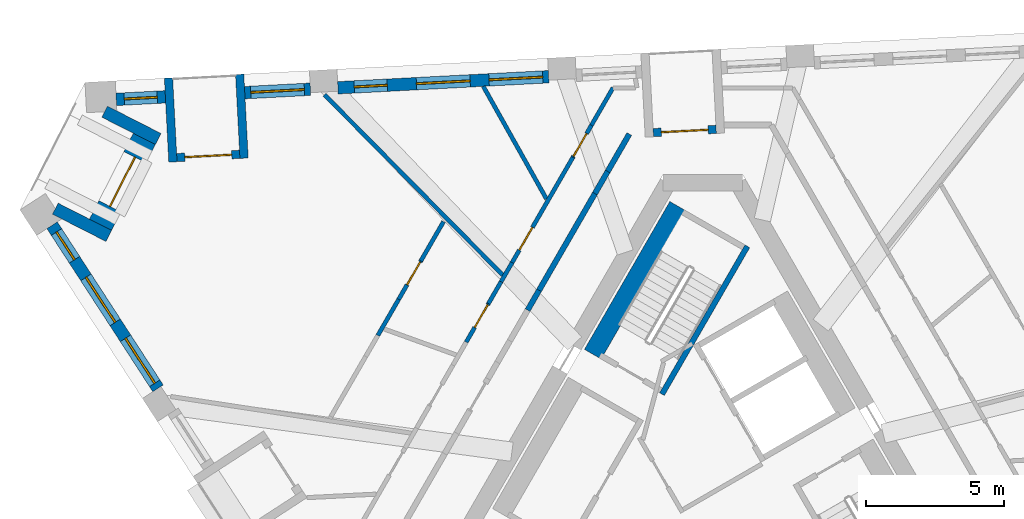
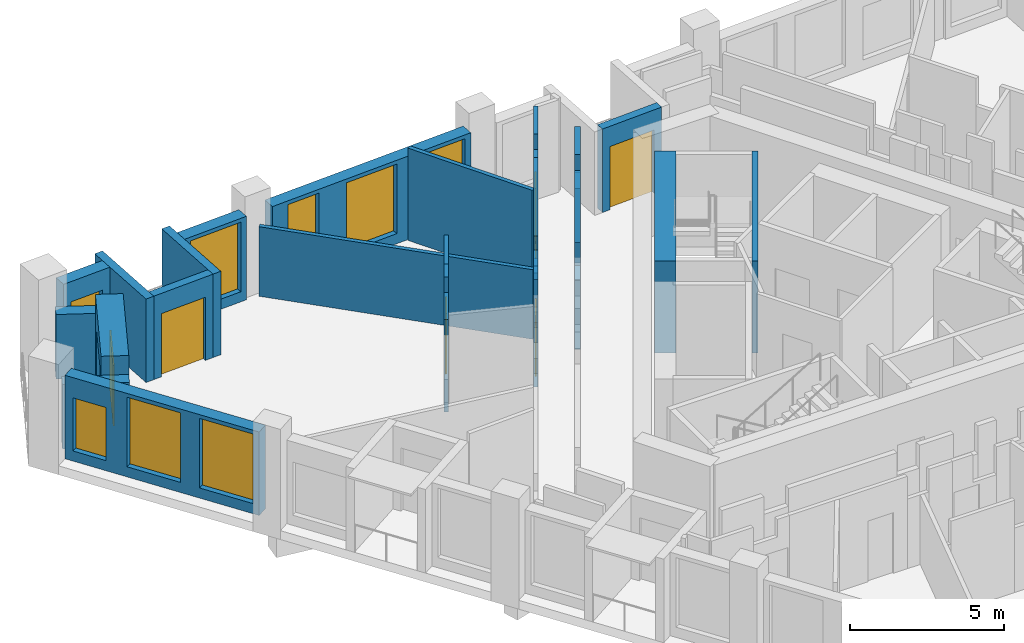
# One storey, part 6 of 12: 28 walls, 8 windows, 7 doors, 15 openings.
"""IFC4 building model written with IfcOpenShell, lengths in metres."""

from ifc_helpers import new_model, si_unit, direction, frame, frame_2d, origin, place, context, subcontext, project, spatial, polyline, rectangle, outline, extrude, material, layer, layer_set, type_object, element, fill, save


model = new_model("IFC4")

# Units and contexts
model_context = context("Model", 3, precision=1e-05, world=origin(), true_north=direction((0.0, 1.0)))
body_context = subcontext(model_context, "Body", "Model", "MODEL_VIEW")
ifc_project = project(units=[si_unit("LENGTHUNIT", "METRE"), si_unit("AREAUNIT", "SQUARE_METRE"), si_unit("VOLUMEUNIT", "CUBIC_METRE"), si_unit("PLANEANGLEUNIT", "RADIAN"), si_unit("MASSUNIT", "GRAM", prefix="KILO")], contexts=[model_context])

# Site, building, storey
site_placement = place(None, origin())
site = spatial("IfcSite", under=ifc_project, at=site_placement, CompositionType="ELEMENT")
building_placement = place(site_placement, origin())
building = spatial("IfcBuilding", under=site, at=building_placement, Name="Tramontana Tower", CompositionType="ELEMENT")
storey_placement = place(building_placement, frame((0.0, 0.0, 274.39990234375)))
storey = spatial("IfcBuildingStorey", under=building, at=storey_placement, Name="L64", CompositionType="ELEMENT", Elevation=274.39990234375)

# Walls
ifc_material_1 = material(Name="Blockwork", Category="masonry")
ifc_layer_1 = layer(ifc_material_1, 0.199951171875)
ifc_layer_set_1 = layer_set([ifc_layer_1], Name="ENTRY WALL 200")
wall_type_1 = type_object("IfcWallType", Name="ENTRY WALL 200", PredefinedType="SOLIDWALL", material=ifc_layer_set_1)
wall_1_placement = place(storey_placement, frame((-6.36328125, 6.07861328125, 0.0), z_axis=(0.0, 0.0, 1.0), x_axis=(0.499950631041, 0.86605390509, 0.0)))
element("IfcWall", 1, at=wall_1_placement, inside=storey, type_object=wall_type_1, Name="Wall v70-ew3-8", PredefinedType="SOLIDWALL", context=body_context, shape_type="SweptSolid", body=[
    extrude(rectangle(XDim=0.83349609375, YDim=0.199951171875, at=frame_2d((0.416748046875, 0.0))), origin(), (0.0, 0.0, 1.0), 2.75),
])
wall_2_placement = place(storey_placement, frame((-5.946533203125, 6.800537109375, 0.0), z_axis=(0.0, 0.0, 1.0), x_axis=(0.500007556608, 0.866021040931, 0.0)))
element("IfcWall", 2, at=wall_2_placement, inside=storey, type_object=wall_type_1, Name="Wall v70-ew3-9", PredefinedType="SOLIDWALL", context=body_context, shape_type="SweptSolid", body=[
    extrude(rectangle(XDim=4.05224609375, YDim=0.199951171875, at=frame_2d((2.026123046875, 0.0))), origin(), (0.0, 0.0, 1.0), 3.650146484375),
])
wall_3_placement = place(storey_placement, frame((-3.92041015625, 10.309814453125, 0.0), z_axis=(0.0, 0.0, 1.0), x_axis=(0.500102178127, 0.865966403178, 0.0)))
element("IfcWall", 3, at=wall_3_placement, inside=storey, type_object=wall_type_1, Name="Wall v70-ew3-10", PredefinedType="SOLIDWALL", context=body_context, shape_type="SweptSolid", body=[
    extrude(rectangle(XDim=0.927490234375, YDim=0.199951171875, at=frame_2d((0.4638671875, 0.0))), origin(), (0.0, 0.0, 1.0), 2.9501953125),
])
wall_4_placement = place(storey_placement, frame((-3.45654296875, 11.113037109375, 0.0), z_axis=(0.0, 0.0, 1.0), x_axis=(0.500036592568, 0.866004276025, 0.0)))
element("IfcWall", 4, at=wall_4_placement, inside=storey, type_object=wall_type_1, Name="Wall v70-ew3-11", PredefinedType="SOLIDWALL", context=body_context, shape_type="SweptSolid", body=[
    extrude(rectangle(XDim=1.56982421875, YDim=0.199951171875, at=frame_2d((0.784912109375, 0.0))), origin(), (0.0, 0.0, 1.0), 3.650146484375),
])

# Wall, openings, windows
ifc_material_2 = material(Name="Precast concrete 60 MPa", Category="concrete")
ifc_layer_2 = layer(ifc_material_2, 0.449951171875)
ifc_layer_set_2 = layer_set([ifc_layer_2], Name="Precast concrete 60 MPa, 450 mm")
wall_type_2 = type_object("IfcWallType", Name="EW1 Stone-faced precast wall 450", PredefinedType="SOLIDWALL", material=ifc_layer_set_2)
wall_5_placement = place(storey_placement, frame((-23.6259765625, 9.160888671875, 0.0), z_axis=(0.0, 0.0, 1.0), x_axis=(0.54463703186, -0.838671868806, 0.0)))
wall_5 = element("IfcWall", 5, at=wall_5_placement, inside=storey, type_object=wall_type_2, Name="External wall L64 face 0 bay 1", PredefinedType="SOLIDWALL", context=body_context, shape_type="SweptSolid", body=[
    extrude(rectangle(XDim=7.06005859375, YDim=0.449951171875, at=frame_2d((3.530029296875, 0.0))), origin(), (0.0, 0.0, 1.0), 3.300048828125),
])
opening_1_placement = place(wall_5_placement, frame((0.29345703125, 0.0, 0.39990234375)))
opening_1 = element("IfcOpeningElement", 6, at=opening_1_placement, cuts=wall_5, Name="Opening N3L", PredefinedType="OPENING", context=body_context, shape_type="SweptSolid", body=[
    extrude(rectangle(XDim=1.199951171875, YDim=2.10009765625, at=frame_2d((0.60009765625, 1.050048828125))), frame((0.0, 0.23486328125, 0.0), z_axis=(0.0, -1.0, 0.0), x_axis=(1.0, 0.0, 0.0)), (0.0, 0.0, 1.0), 0.469970703125),
])
opening_2_placement = place(wall_5_placement, frame((2.255126953125, 0.0, 0.39990234375)))
opening_2 = element("IfcOpeningElement", 7, at=opening_2_placement, cuts=wall_5, Name="Opening M3", PredefinedType="OPENING", context=body_context, shape_type="SweptSolid", body=[
    extrude(rectangle(XDim=1.949951171875, YDim=2.75, at=frame_2d((0.97509765625, 1.375))), frame((0.0, 0.23486328125, 0.0), z_axis=(0.0, -1.0, 0.0), x_axis=(1.0, 0.0, 0.0)), (0.0, 0.0, 1.0), 0.469970703125),
])
opening_3_placement = place(wall_5_placement, frame((4.891845703125, 0.0, 0.39990234375)))
opening_3 = element("IfcOpeningElement", 8, at=opening_3_placement, cuts=wall_5, Name="Opening M3", PredefinedType="OPENING", context=body_context, shape_type="SweptSolid", body=[
    extrude(rectangle(XDim=1.949951171875, YDim=2.75, at=frame_2d((0.97509765625, 1.375))), frame((0.0, 0.23486328125, 0.0), z_axis=(0.0, -1.0, 0.0), x_axis=(1.0, 0.0, 0.0)), (0.0, 0.0, 1.0), 0.469970703125),
])
ifc_material_3 = material(Name="Aluminum frame, double glazing unit", Category="aluminium")
window_type_1 = type_object("IfcWindowType", Name="M3 Window 1.95 x 2.75", PartitioningType="SINGLE_PANEL", PredefinedType="WINDOW", material=ifc_material_3)
window_1_placement = place(opening_2_placement, origin())
window_1 = element("IfcWindow", 9, at=window_1_placement, inside=storey, type_object=window_type_1, Name="Window M3 L64 face 0 module 2", OverallHeight=2.75, OverallWidth=1.949951171875, PartitioningType="SINGLE_PANEL", PredefinedType="WINDOW", context=body_context, shape_type="SweptSolid", body=[
    extrude(rectangle(XDim=1.949951171875, YDim=2.75, at=frame_2d((0.97509765625, 1.375))), frame((0.0, 0.030029296875, 0.0), z_axis=(0.0, -1.0, 0.0), x_axis=(1.0, 0.0, 0.0)), (0.0, 0.0, 1.0), 0.06005859375),
])
fill(opening_2, window_1)
window_2_placement = place(opening_3_placement, origin())
window_2 = element("IfcWindow", 10, at=window_2_placement, inside=storey, type_object=window_type_1, Name="Window M3 L64 face 0 module 3", OverallHeight=2.75, OverallWidth=1.949951171875, PartitioningType="SINGLE_PANEL", PredefinedType="WINDOW", context=body_context, shape_type="SweptSolid", body=[
    extrude(rectangle(XDim=1.949951171875, YDim=2.75, at=frame_2d((0.97509765625, 1.375))), frame((0.0, 0.030029296875, 0.0), z_axis=(0.0, -1.0, 0.0), x_axis=(1.0, 0.0, 0.0)), (0.0, 0.0, 1.0), 0.06005859375),
])
fill(opening_3, window_2)
ifc_material_4 = material(Name="Aluminum frame, double glazing unit", Category="aluminium")
window_type_2 = type_object("IfcWindowType", Name="N3L Window 1.2 x 2.1", PartitioningType="SINGLE_PANEL", PredefinedType="WINDOW", material=ifc_material_4)
window_3_placement = place(opening_1_placement, origin())
window_3 = element("IfcWindow", 11, at=window_3_placement, inside=storey, type_object=window_type_2, Name="Window N3L L64 face 0 module 1", OverallHeight=2.10009765625, OverallWidth=1.199951171875, PartitioningType="SINGLE_PANEL", PredefinedType="WINDOW", context=body_context, shape_type="SweptSolid", body=[
    extrude(rectangle(XDim=1.199951171875, YDim=2.10009765625, at=frame_2d((0.60009765625, 1.050048828125))), frame((0.0, 0.030029296875, 0.0), z_axis=(0.0, -1.0, 0.0), x_axis=(1.0, 0.0, 0.0)), (0.0, 0.0, 1.0), 0.06005859375),
])
fill(opening_1, window_3)

wall_6_placement = place(storey_placement, frame((-5.599365234375, 14.552001953125, 0.0), z_axis=(0.0, 0.0, 1.0), x_axis=(-0.998628023429, -0.052364786088, 0.0)))
wall_6 = element("IfcWall", 12, at=wall_6_placement, inside=storey, type_object=wall_type_2, Name="External wall L64 face 2 bay 4", PredefinedType="SOLIDWALL", context=body_context, shape_type="SweptSolid", body=[
    extrude(rectangle(XDim=7.66015625, YDim=0.449951171875, at=frame_2d((3.830078125, 0.0))), origin(), (0.0, 0.0, 1.0), 3.300048828125),
])
opening_4_placement = place(wall_6_placement, frame((0.21826171875, 0.0, 0.39990234375)))
opening_4 = element("IfcOpeningElement", 13, at=opening_4_placement, cuts=wall_6, Name="Opening M3", PredefinedType="OPENING", context=body_context, shape_type="SweptSolid", body=[
    extrude(rectangle(XDim=1.949951171875, YDim=2.75, at=frame_2d((0.97509765625, 1.375))), frame((0.0, 0.23486328125, 0.0), z_axis=(0.0, -1.0, 0.0), x_axis=(1.0, 0.0, 0.0)), (0.0, 0.0, 1.0), 0.469970703125),
])
opening_5_placement = place(wall_6_placement, frame((2.855224609375, 0.0, 0.39990234375)))
opening_5 = element("IfcOpeningElement", 14, at=opening_5_placement, cuts=wall_6, Name="Opening M3", PredefinedType="OPENING", context=body_context, shape_type="SweptSolid", body=[
    extrude(rectangle(XDim=1.949951171875, YDim=2.75, at=frame_2d((0.97509765625, 1.375))), frame((0.0, 0.23486328125, 0.0), z_axis=(0.0, -1.0, 0.0), x_axis=(1.0, 0.0, 0.0)), (0.0, 0.0, 1.0), 0.469970703125),
])
opening_6_placement = place(wall_6_placement, frame((5.866943359375, 0.0, 0.39990234375)))
opening_6 = element("IfcOpeningElement", 15, at=opening_6_placement, cuts=wall_6, Name="Opening N3", PredefinedType="OPENING", context=body_context, shape_type="SweptSolid", body=[
    extrude(rectangle(XDim=1.199951171875, YDim=2.75, at=frame_2d((0.60009765625, 1.375))), frame((0.0, 0.23486328125, 0.0), z_axis=(0.0, -1.0, 0.0), x_axis=(1.0, 0.0, 0.0)), (0.0, 0.0, 1.0), 0.469970703125),
])
window_4_placement = place(opening_4_placement, origin())
window_4 = element("IfcWindow", 16, at=window_4_placement, inside=storey, type_object=window_type_1, Name="Window M3 L64 face 2 module 10", OverallHeight=2.75, OverallWidth=1.949951171875, PartitioningType="SINGLE_PANEL", PredefinedType="WINDOW", context=body_context, shape_type="SweptSolid", body=[
    extrude(rectangle(XDim=1.949951171875, YDim=2.75, at=frame_2d((0.97509765625, 1.375))), frame((0.0, 0.030029296875, 0.0), z_axis=(0.0, -1.0, 0.0), x_axis=(1.0, 0.0, 0.0)), (0.0, 0.0, 1.0), 0.06005859375),
])
fill(opening_4, window_4)
window_5_placement = place(opening_5_placement, origin())
window_5 = element("IfcWindow", 17, at=window_5_placement, inside=storey, type_object=window_type_1, Name="Window M3 L64 face 2 module 11", OverallHeight=2.75, OverallWidth=1.949951171875, PartitioningType="SINGLE_PANEL", PredefinedType="WINDOW", context=body_context, shape_type="SweptSolid", body=[
    extrude(rectangle(XDim=1.949951171875, YDim=2.75, at=frame_2d((0.97509765625, 1.375))), frame((0.0, 0.030029296875, 0.0), z_axis=(0.0, -1.0, 0.0), x_axis=(1.0, 0.0, 0.0)), (0.0, 0.0, 1.0), 0.06005859375),
])
fill(opening_5, window_5)
ifc_material_5 = material(Name="Aluminum frame, double glazing unit", Category="aluminium")
window_type_3 = type_object("IfcWindowType", Name="N3 Window 1.2 x 2.75", PartitioningType="SINGLE_PANEL", PredefinedType="WINDOW", material=ifc_material_5)
window_6_placement = place(opening_6_placement, origin())
window_6 = element("IfcWindow", 18, at=window_6_placement, inside=storey, type_object=window_type_3, Name="Window N3 L64 face 2 module 12", OverallHeight=2.75, OverallWidth=1.199951171875, PartitioningType="SINGLE_PANEL", PredefinedType="WINDOW", context=body_context, shape_type="SweptSolid", body=[
    extrude(rectangle(XDim=1.199951171875, YDim=2.75, at=frame_2d((0.60009765625, 1.375))), frame((0.0, 0.030029296875, 0.0), z_axis=(0.0, -1.0, 0.0), x_axis=(1.0, 0.0, 0.0)), (0.0, 0.0, 1.0), 0.06005859375),
])
fill(opening_6, window_6)

# Wall, opening, window
wall_7_placement = place(storey_placement, frame((-14.247802734375, 14.0986328125, 0.0), z_axis=(0.0, 0.0, 1.0), x_axis=(-0.998627701279, -0.052370929331, 0.0)))
wall_7 = element("IfcWall", 19, at=wall_7_placement, inside=storey, type_object=wall_type_2, Name="External wall L64 face 2 bay 5", PredefinedType="SOLIDWALL", context=body_context, shape_type="SweptSolid", body=[
    extrude(rectangle(XDim=2.38671875, YDim=0.449951171875, at=frame_2d((1.193359375, 0.0))), origin(), (0.0, 0.0, 1.0), 3.300048828125),
])
opening_7_placement = place(wall_7_placement, frame((0.21826171875, 0.0, 0.39990234375)))
opening_7 = element("IfcOpeningElement", 20, at=opening_7_placement, cuts=wall_7, Name="Opening M3", PredefinedType="OPENING", context=body_context, shape_type="SweptSolid", body=[
    extrude(rectangle(XDim=1.949951171875, YDim=2.75, at=frame_2d((0.97509765625, 1.375))), frame((0.0, 0.23486328125, 0.0), z_axis=(0.0, -1.0, 0.0), x_axis=(1.0, 0.0, 0.0)), (0.0, 0.0, 1.0), 0.469970703125),
])
window_7_placement = place(opening_7_placement, origin())
window_7 = element("IfcWindow", 21, at=window_7_placement, inside=storey, type_object=window_type_1, Name="Window M3 L64 face 2 module 13", OverallHeight=2.75, OverallWidth=1.949951171875, PartitioningType="SINGLE_PANEL", PredefinedType="WINDOW", context=body_context, shape_type="SweptSolid", body=[
    extrude(rectangle(XDim=1.949951171875, YDim=2.75, at=frame_2d((0.97509765625, 1.375))), frame((0.0, 0.030029296875, 0.0), z_axis=(0.0, -1.0, 0.0), x_axis=(1.0, 0.0, 0.0)), (0.0, 0.0, 1.0), 0.06005859375),
])
fill(opening_7, window_7)

wall_8_placement = place(storey_placement, frame((-19.51416015625, 13.82275390625, 0.0), z_axis=(0.0, 0.0, 1.0), x_axis=(-0.998629506551, -0.052336494391, 0.0)))
wall_8 = element("IfcWall", 22, at=wall_8_placement, inside=storey, type_object=wall_type_2, Name="External wall L64 face 2 bay 5", PredefinedType="SOLIDWALL", context=body_context, shape_type="SweptSolid", body=[
    extrude(rectangle(XDim=1.78662109375, YDim=0.449951171875, at=frame_2d((0.893310546875, 0.0))), origin(), (0.0, 0.0, 1.0), 3.300048828125),
])
opening_8_placement = place(wall_8_placement, frame((0.29345703125, 0.0, 0.39990234375)))
opening_8 = element("IfcOpeningElement", 23, at=opening_8_placement, cuts=wall_8, Name="Opening N3L", PredefinedType="OPENING", context=body_context, shape_type="SweptSolid", body=[
    extrude(rectangle(XDim=1.199951171875, YDim=2.10009765625, at=frame_2d((0.60009765625, 1.050048828125))), frame((0.0, 0.23486328125, 0.0), z_axis=(0.0, -1.0, 0.0), x_axis=(1.0, 0.0, 0.0)), (0.0, 0.0, 1.0), 0.469970703125),
])
window_8_placement = place(opening_8_placement, origin())
window_8 = element("IfcWindow", 24, at=window_8_placement, inside=storey, type_object=window_type_2, Name="Window N3L L64 face 2 module 15", OverallHeight=2.10009765625, OverallWidth=1.199951171875, PartitioningType="SINGLE_PANEL", PredefinedType="WINDOW", context=body_context, shape_type="SweptSolid", body=[
    extrude(rectangle(XDim=1.199951171875, YDim=2.10009765625, at=frame_2d((0.60009765625, 1.050048828125))), frame((0.0, 0.030029296875, 0.0), z_axis=(0.0, -1.0, 0.0), x_axis=(1.0, 0.0, 0.0)), (0.0, 0.0, 1.0), 0.06005859375),
])
fill(opening_8, window_8)

# Walls
wall_9_placement = place(storey_placement, frame((-23.509765625, 9.76220703125, 0.0), z_axis=(0.0, 0.0, 1.0), x_axis=(0.891041206664, -0.45392242512, 0.0)))
element("IfcWall", 25, at=wall_9_placement, inside=storey, type_object=wall_type_2, Name="Corner loggia side wall L64 K70l", PredefinedType="SOLIDWALL", context=body_context, shape_type="SweptSolid", body=[
    extrude(rectangle(XDim=2.179443359375, YDim=0.449951171875, at=frame_2d((1.08984375, 0.0))), origin(), (0.0, 0.0, 1.0), 2.550048828125),
])
wall_10_placement = place(storey_placement, frame((-21.71630859375, 13.28173828125, 0.0), z_axis=(0.0, 0.0, 1.0), x_axis=(0.890972801346, -0.454056678468, 0.0)))
element("IfcWall", 26, at=wall_10_placement, inside=storey, type_object=wall_type_2, Name="Corner loggia side wall L64 K70r", PredefinedType="SOLIDWALL", context=body_context, shape_type="SweptSolid", body=[
    extrude(rectangle(XDim=2.17919921875, YDim=0.449951171875, at=frame_2d((1.089599609375, 0.0))), origin(), (0.0, 0.0, 1.0), 2.550048828125),
])

# Wall, opening, door
ifc_material_6 = material(Name="Precast concrete 60 MPa", Category="concrete")
ifc_layer_3 = layer(ifc_material_6, 0.89990234375)
ifc_layer_set_3 = layer_set([ifc_layer_3], Name="EW2 Stone-faced corner loggia wall 900")
wall_type_3 = type_object("IfcWallType", Name="EW2 Stone-faced corner loggia wall 900", PredefinedType="SOLIDWALL", material=ifc_layer_set_3)
wall_11_placement = place(storey_placement, frame((-21.86669921875, 9.177734375, 0.0), z_axis=(0.0, 0.0, 1.0), x_axis=(0.453981164527, 0.891011280655, 0.0)))
wall_11 = element("IfcWall", 27, at=wall_11_placement, inside=storey, type_object=wall_type_3, Name="Corner loggia wall L64 K70", PredefinedType="SOLIDWALL", context=body_context, shape_type="SweptSolid", body=[
    extrude(rectangle(XDim=3.499755859375, YDim=0.89990234375, at=frame_2d((1.75, 0.0))), origin(), (0.0, 0.0, 1.0), 3.300048828125),
])
opening_9_placement = place(wall_11_placement, frame((0.75, 0.0, 0.0)))
opening_9 = element("IfcOpeningElement", 28, at=opening_9_placement, cuts=wall_11, Name="Opening BD-70C", PredefinedType="OPENING", context=body_context, shape_type="SweptSolid", body=[
    extrude(rectangle(XDim=2.0, YDim=2.39990234375, at=frame_2d((1.0, 1.199951171875))), frame((0.0, 0.4599609375, 0.0), z_axis=(0.0, -1.0, 0.0), x_axis=(1.0, 0.0, 0.0)), (0.0, 0.0, 1.0), 0.919921875),
])
ifc_material_7 = material(Name="Aluminum frame, double glazing unit", Category="aluminium")
door_type_1 = type_object("IfcDoorType", Name="BC1 Sliding door 2 x 2.4", OperationType="SLIDING_TO_LEFT", PredefinedType="DOOR", material=ifc_material_7)
door_1_placement = place(opening_9_placement, origin())
door_1 = element("IfcDoor", 29, at=door_1_placement, inside=storey, type_object=door_type_1, Name="Corner loggia door L64 K70", OperationType="SLIDING_TO_LEFT", OverallHeight=2.39990234375, OverallWidth=2.0, PredefinedType="DOOR", context=body_context, shape_type="SweptSolid", body=[
    extrude(rectangle(XDim=2.0, YDim=2.39990234375, at=frame_2d((1.0, 1.199951171875))), frame((0.0, 0.02490234375, 0.0), z_axis=(0.0, -1.0, 0.0), x_axis=(1.0, 0.0, 0.0)), (0.0, 0.0, 1.0), 0.050048828125),
])
fill(opening_9, door_1)

ifc_material_8 = material(Name="Precast concrete 60 MPa", Category="concrete")
ifc_layer_4 = layer(ifc_material_8, 0.300048828125)
ifc_layer_set_4 = layer_set([ifc_layer_4], Name="LW1 Stone-faced loggia wall 300")
wall_type_4 = type_object("IfcWallType", Name="LW1 Stone-faced loggia wall 300", PredefinedType="SOLIDWALL", material=ifc_layer_set_4)
wall_12_placement = place(storey_placement, frame((0.482421875, 12.642578125, 0.0), z_axis=(0.0, 0.0, 1.0), x_axis=(-0.998630775221, -0.052312281362, 0.0)))
wall_12 = element("IfcWall", 30, at=wall_12_placement, inside=storey, type_object=wall_type_4, Name="Loggia wall L64 G7S2.7", PredefinedType="SOLIDWALL", context=body_context, shape_type="SweptSolid", body=[
    extrude(rectangle(XDim=2.286865234375, YDim=0.300048828125, at=frame_2d((1.1435546875, 0.0))), origin(), (0.0, 0.0, 1.0), 3.300048828125),
])
opening_10_placement = place(wall_12_placement, frame((0.29345703125, 0.0, 0.0)))
opening_10 = element("IfcOpeningElement", 31, at=opening_10_placement, cuts=wall_12, Name="Opening BD-7S2-07", PredefinedType="OPENING", context=body_context, shape_type="SweptSolid", body=[
    extrude(rectangle(XDim=1.699951171875, YDim=2.5, at=frame_2d((0.85009765625, 1.25))), frame((0.0, 0.159912109375, 0.0), z_axis=(0.0, -1.0, 0.0), x_axis=(1.0, 0.0, 0.0)), (0.0, 0.0, 1.0), 0.320068359375),
])
ifc_material_9 = material(Name="Aluminum frame, double glazing unit", Category="aluminium")
door_type_2 = type_object("IfcDoorType", Name="BD3 Sliding door 1.7 x 2.5", OperationType="SLIDING_TO_LEFT", PredefinedType="DOOR", material=ifc_material_9)
door_2_placement = place(opening_10_placement, origin())
door_2 = element("IfcDoor", 32, at=door_2_placement, inside=storey, type_object=door_type_2, Name="Loggia door L64 G7S2.7", OperationType="SLIDING_TO_LEFT", OverallHeight=2.5, OverallWidth=1.699951171875, PredefinedType="DOOR", context=body_context, shape_type="SweptSolid", body=[
    extrude(rectangle(XDim=1.699951171875, YDim=2.5, at=frame_2d((0.85009765625, 1.25))), frame((0.0, 0.02490234375, 0.0), z_axis=(0.0, -1.0, 0.0), x_axis=(1.0, 0.0, 0.0)), (0.0, 0.0, 1.0), 0.050048828125),
])
fill(opening_10, door_2)

wall_13_placement = place(storey_placement, frame((-16.814453125, 11.736083984375, 0.0), z_axis=(0.0, 0.0, 1.0), x_axis=(-0.998630483018, -0.052317859155, 0.0)))
wall_13 = element("IfcWall", 33, at=wall_13_placement, inside=storey, type_object=wall_type_4, Name="Loggia wall L64 G7S2.13", PredefinedType="SOLIDWALL", context=body_context, shape_type="SweptSolid", body=[
    extrude(rectangle(XDim=2.28662109375, YDim=0.300048828125, at=frame_2d((1.143310546875, 0.0))), origin(), (0.0, 0.0, 1.0), 3.300048828125),
])
opening_11_placement = place(wall_13_placement, frame((0.29345703125, 0.0, 0.0)))
opening_11 = element("IfcOpeningElement", 34, at=opening_11_placement, cuts=wall_13, Name="Opening BD-7S2-13", PredefinedType="OPENING", context=body_context, shape_type="SweptSolid", body=[
    extrude(rectangle(XDim=1.699951171875, YDim=2.5, at=frame_2d((0.85009765625, 1.25))), frame((0.0, 0.159912109375, 0.0), z_axis=(0.0, -1.0, 0.0), x_axis=(1.0, 0.0, 0.0)), (0.0, 0.0, 1.0), 0.320068359375),
])
door_3_placement = place(opening_11_placement, origin())
door_3 = element("IfcDoor", 35, at=door_3_placement, inside=storey, type_object=door_type_2, Name="Loggia door L64 G7S2.13", OperationType="SLIDING_TO_LEFT", OverallHeight=2.5, OverallWidth=1.699951171875, PredefinedType="DOOR", context=body_context, shape_type="SweptSolid", body=[
    extrude(rectangle(XDim=1.699951171875, YDim=2.5, at=frame_2d((0.85009765625, 1.25))), frame((0.0, 0.02490234375, 0.0), z_axis=(0.0, -1.0, 0.0), x_axis=(1.0, 0.0, 0.0)), (0.0, 0.0, 1.0), 0.050048828125),
])
fill(opening_11, door_3)

# Walls
wall_14_placement = place(storey_placement, frame((-16.81640625, 14.639892578125, 0.0), z_axis=(0.0, 0.0, 1.0), x_axis=(0.052352956549, -0.998628643661, 0.0)))
element("IfcWall", 36, at=wall_14_placement, inside=storey, type_object=wall_type_4, Name="Loggia return L64 G7S2.13a", PredefinedType="SOLIDWALL", context=body_context, shape_type="SweptSolid", body=[
    extrude(rectangle(XDim=3.0498046875, YDim=0.300048828125, at=frame_2d((1.52490234375, 0.0))), origin(), (0.0, 0.0, 1.0), 3.300048828125),
])
wall_15_placement = place(storey_placement, frame((-19.399658203125, 14.504638671875, 0.0), z_axis=(0.0, 0.0, 1.0), x_axis=(0.052348771756, -0.99862886304, 0.0)))
element("IfcWall", 37, at=wall_15_placement, inside=storey, type_object=wall_type_4, Name="Loggia return L64 G7S2.13b", PredefinedType="SOLIDWALL", context=body_context, shape_type="SweptSolid", body=[
    extrude(rectangle(XDim=3.050048828125, YDim=0.300048828125, at=frame_2d((1.52490234375, 0.0))), origin(), (0.0, 0.0, 1.0), 3.300048828125),
])

# Wall, opening, door
ifc_material_10 = material(Name="Gypsum board partition")
ifc_layer_5 = layer(ifc_material_10, 0.14990234375)
ifc_layer_set_5 = layer_set([ifc_layer_5], Name="PARTITION 150")
wall_type_5 = type_object("IfcWallType", Name="PARTITION 150", PredefinedType="PARTITIONING", material=ifc_layer_set_5)
wall_16_placement = place(storey_placement, frame((-8.59228515625, 4.917724609375, 0.0), z_axis=(0.0, 0.0, 1.0), x_axis=(0.500005767435, 0.866022073929, 0.0)))
wall_16 = element("IfcWall", 38, at=wall_16_placement, inside=storey, type_object=wall_type_5, Name="Wall v70-pw00-6", PredefinedType="PARTITIONING", context=body_context, shape_type="SweptSolid", body=[
    extrude(outline(polyline([(0.0, 0.0), (1.6162109375, 0.0), (1.615966796875, 3.650146484375), (0.875732421875, 3.650146484375), (0.875732421875, 2.550048828125), (0.0, 2.550048828125), (0.0, 0.0)])), frame((0.0, 0.074951171875, 0.0), z_axis=(0.0, -1.0, 0.0), x_axis=(1.0, 0.0, 0.0)), (0.0, 0.0, 1.0), 0.14990234375),
])
opening_12_placement = place(wall_16_placement, frame((0.615966796875, 0.0, 0.0)))
opening_12 = element("IfcOpeningElement", 39, at=opening_12_placement, cuts=wall_16, Name="Opening B7A-01", PredefinedType="OPENING", context=body_context, shape_type="SweptSolid", body=[
    extrude(rectangle(XDim=0.949951171875, YDim=2.39990234375, at=frame_2d((0.47509765625, 1.199951171875))), frame((0.0, 0.0849609375, 0.0), z_axis=(0.0, -1.0, 0.0), x_axis=(1.0, 0.0, 0.0)), (0.0, 0.0, 1.0), 0.169921875),
])
ifc_material_11 = material(Name="Painted timber", Category="wood")
door_type_3 = type_object("IfcDoorType", Name="DOOR ROOM 950", OperationType="SINGLE_SWING_LEFT", PredefinedType="DOOR", material=ifc_material_11)
door_4_placement = place(opening_12_placement, origin())
door_4 = element("IfcDoor", 40, at=door_4_placement, inside=storey, type_object=door_type_3, Name="Door B7A-01", OperationType="SINGLE_SWING_LEFT", OverallHeight=2.39990234375, OverallWidth=0.949951171875, PredefinedType="DOOR", context=body_context, shape_type="SweptSolid", body=[
    extrude(rectangle(XDim=0.949951171875, YDim=2.39990234375, at=frame_2d((0.47509765625, 1.199951171875))), frame((0.0, 0.02490234375, 0.0), z_axis=(0.0, -1.0, 0.0), x_axis=(1.0, 0.0, 0.0)), (0.0, 0.0, 1.0), 0.050048828125),
])
fill(opening_12, door_4)

# Walls
wall_17_placement = place(storey_placement, frame((-7.7841796875, 6.3173828125, 0.0), z_axis=(0.0, 0.0, 1.0), x_axis=(0.499884784933, 0.866091913016, 0.0)))
element("IfcWall", 41, at=wall_17_placement, inside=storey, type_object=wall_type_5, Name="Wall v70-pw00-7", PredefinedType="PARTITIONING", context=body_context, shape_type="SweptSolid", body=[
    extrude(rectangle(XDim=0.911376953125, YDim=0.14990234375, at=frame_2d((0.45556640625, 0.0))), origin(), (0.0, 0.0, 1.0), 3.650146484375),
])
wall_18_placement = place(storey_placement, frame((-7.32861328125, 7.106689453125, 0.0), z_axis=(0.0, 0.0, 1.0), x_axis=(0.500106313205, 0.865964015126, 0.0)))
element("IfcWall", 42, at=wall_18_placement, inside=storey, type_object=wall_type_5, Name="Wall v70-pw00-8", PredefinedType="PARTITIONING", context=body_context, shape_type="SweptSolid", body=[
    extrude(rectangle(XDim=0.807373046875, YDim=0.14990234375, at=frame_2d((0.40380859375, 0.0))), origin(), (0.0, 0.0, 1.0), 2.75),
])

# Wall, opening, door
wall_19_placement = place(storey_placement, frame((-6.9248046875, 7.805908203125, 0.0), z_axis=(0.0, 0.0, 1.0), x_axis=(0.500024628788, 0.86601118388, 0.0)))
wall_19 = element("IfcWall", 43, at=wall_19_placement, inside=storey, type_object=wall_type_5, Name="Wall v70-pw00-9", PredefinedType="PARTITIONING", context=body_context, shape_type="SweptSolid", body=[
    extrude(rectangle(XDim=4.406005859375, YDim=0.14990234375, at=frame_2d((2.203125, 0.0))), origin(), (0.0, 0.0, 1.0), 3.650146484375),
])
opening_13_placement = place(wall_19_placement, frame((0.52392578125, 0.0, 0.0)))
opening_13 = element("IfcOpeningElement", 44, at=opening_13_placement, cuts=wall_19, Name="Opening B7A-03", PredefinedType="OPENING", context=body_context, shape_type="SweptSolid", body=[
    extrude(rectangle(XDim=0.949951171875, YDim=2.39990234375, at=frame_2d((0.47509765625, 1.199951171875))), frame((0.0, 0.0849609375, 0.0), z_axis=(0.0, -1.0, 0.0), x_axis=(1.0, 0.0, 0.0)), (0.0, 0.0, 1.0), 0.169921875),
])
door_5_placement = place(opening_13_placement, origin())
door_5 = element("IfcDoor", 45, at=door_5_placement, inside=storey, type_object=door_type_3, Name="Door B7A-03", OperationType="SINGLE_SWING_LEFT", OverallHeight=2.39990234375, OverallWidth=0.949951171875, PredefinedType="DOOR", context=body_context, shape_type="SweptSolid", body=[
    extrude(rectangle(XDim=0.949951171875, YDim=2.39990234375, at=frame_2d((0.47509765625, 1.199951171875))), frame((0.0, 0.02490234375, 0.0), z_axis=(0.0, -1.0, 0.0), x_axis=(1.0, 0.0, 0.0)), (0.0, 0.0, 1.0), 0.050048828125),
])
fill(opening_13, door_5)

wall_20_placement = place(storey_placement, frame((-4.7216796875, 11.62158203125, 0.0), z_axis=(0.0, 0.0, 1.0), x_axis=(0.499973075538, 0.866040948072, 0.0)))
wall_20 = element("IfcWall", 46, at=wall_20_placement, inside=storey, type_object=wall_type_5, Name="Wall v70-pw00-10", PredefinedType="PARTITIONING", context=body_context, shape_type="SweptSolid", body=[
    extrude(outline(polyline([(0.0, 0.0), (1.34912109375, 0.0), (1.34912109375, 2.9501953125), (0.45458984375, 2.9501953125), (0.45458984375, 3.650146484375), (0.0, 3.650146484375), (0.0, 0.0)])), frame((0.0, 0.074951171875, 0.0), z_axis=(0.0, -1.0, 0.0), x_axis=(1.0, 0.0, 0.0)), (0.0, 0.0, 1.0), 0.14990234375),
])
opening_14_placement = place(wall_20_placement, frame((0.050048828125, 0.0, 0.0)))
opening_14 = element("IfcOpeningElement", 47, at=opening_14_placement, cuts=wall_20, Name="Opening B7A-04", PredefinedType="OPENING", context=body_context, shape_type="SweptSolid", body=[
    extrude(rectangle(XDim=0.949951171875, YDim=2.39990234375, at=frame_2d((0.47509765625, 1.199951171875))), frame((0.0, 0.0849609375, 0.0), z_axis=(0.0, -1.0, 0.0), x_axis=(1.0, 0.0, 0.0)), (0.0, 0.0, 1.0), 0.169921875),
])
door_6_placement = place(opening_14_placement, origin())
door_6 = element("IfcDoor", 48, at=door_6_placement, inside=storey, type_object=door_type_3, Name="Door B7A-04", OperationType="SINGLE_SWING_RIGHT", OverallHeight=2.39990234375, OverallWidth=0.949951171875, PredefinedType="DOOR", context=body_context, shape_type="SweptSolid", body=[
    extrude(rectangle(XDim=0.949951171875, YDim=2.39990234375, at=frame_2d((0.47509765625, 1.199951171875))), frame((0.0, 0.02490234375, 0.0), z_axis=(0.0, -1.0, 0.0), x_axis=(1.0, 0.0, 0.0)), (0.0, 0.0, 1.0), 0.050048828125),
])
fill(opening_14, door_6)

# Walls
wall_21_placement = place(storey_placement, frame((-4.047119140625, 12.7900390625, 0.0), z_axis=(0.0, 0.0, 1.0), x_axis=(0.500018540756, 0.866014699009, 0.0)))
element("IfcWall", 49, at=wall_21_placement, inside=storey, type_object=wall_type_5, Name="Wall v70-pw00-11", PredefinedType="PARTITIONING", context=body_context, shape_type="SweptSolid", body=[
    extrude(rectangle(XDim=1.5703125, YDim=0.14990234375, at=frame_2d((0.78515625, 0.0))), origin(), (0.0, 0.0, 1.0), 3.650146484375),
])
wall_22_placement = place(storey_placement, frame((-13.736572265625, 13.900146484375, 0.0), z_axis=(0.0, 0.0, 1.0), x_axis=(0.702901092217, -0.711287603266, 0.0)))
element("IfcWall", 50, at=wall_22_placement, inside=storey, type_object=wall_type_5, Name="Wall v70-pw01-0", PredefinedType="PARTITIONING", context=body_context, shape_type="SweptSolid", body=[
    extrude(rectangle(XDim=9.19921875, YDim=0.14990234375, at=frame_2d((4.599609375, 0.0))), origin(), (0.0, 0.0, 1.0), 2.75),
])
wall_23_placement = place(storey_placement, frame((-11.7998046875, 5.162109375, 0.0), z_axis=(0.0, 0.0, 1.0), x_axis=(0.500035089595, 0.866005143849, 0.0)))
element("IfcWall", 51, at=wall_23_placement, inside=storey, type_object=wall_type_5, Name="Wall v70-pw02-3", PredefinedType="PARTITIONING", context=body_context, shape_type="SweptSolid", body=[
    extrude(rectangle(XDim=1.509765625, YDim=0.14990234375, at=frame_2d((0.7548828125, 0.0))), origin(), (0.0, 0.0, 1.0), 3.650146484375),
])

# Wall, opening, door
wall_24_placement = place(storey_placement, frame((-11.044921875, 6.469482421875, 0.0), z_axis=(0.0, 0.0, 1.0), x_axis=(0.499944992379, 0.86605716012, 0.0)))
wall_24 = element("IfcWall", 52, at=wall_24_placement, inside=storey, type_object=wall_type_5, Name="Wall v70-pw02-4", PredefinedType="PARTITIONING", context=body_context, shape_type="SweptSolid", body=[
    extrude(outline(polyline([(0.0, 0.0), (1.614501953125, 0.0), (1.614501953125, 3.650146484375), (0.875732421875, 3.650146484375), (0.875732421875, 2.550048828125), (0.0, 2.550048828125), (0.0, 0.0)])), frame((0.0, 0.074951171875, 0.0), z_axis=(0.0, -1.0, 0.0), x_axis=(1.0, 0.0, 0.0)), (0.0, 0.0, 1.0), 0.14990234375),
])
opening_15_placement = place(wall_24_placement, frame((0.614501953125, 0.0, 0.0)))
opening_15 = element("IfcOpeningElement", 53, at=opening_15_placement, cuts=wall_24, Name="Opening B7A-19", PredefinedType="OPENING", context=body_context, shape_type="SweptSolid", body=[
    extrude(rectangle(XDim=0.949951171875, YDim=2.39990234375, at=frame_2d((0.47509765625, 1.199951171875))), frame((0.0, 0.0849609375, 0.0), z_axis=(0.0, -1.0, 0.0), x_axis=(1.0, 0.0, 0.0)), (0.0, 0.0, 1.0), 0.169921875),
])
door_7_placement = place(opening_15_placement, origin())
door_7 = element("IfcDoor", 54, at=door_7_placement, inside=storey, type_object=door_type_3, Name="Door B7A-19", OperationType="SINGLE_SWING_LEFT", OverallHeight=2.39990234375, OverallWidth=0.949951171875, PredefinedType="DOOR", context=body_context, shape_type="SweptSolid", body=[
    extrude(rectangle(XDim=0.949951171875, YDim=2.39990234375, at=frame_2d((0.47509765625, 1.199951171875))), frame((0.0, 0.02490234375, 0.0), z_axis=(0.0, -1.0, 0.0), x_axis=(1.0, 0.0, 0.0)), (0.0, 0.0, 1.0), 0.050048828125),
])
fill(opening_15, door_7)

# Walls
wall_25_placement = place(storey_placement, frame((-10.23779296875, 7.86767578125, 0.0), z_axis=(0.0, 0.0, 1.0), x_axis=(0.500069669507, 0.865985176339, 0.0)))
element("IfcWall", 55, at=wall_25_placement, inside=storey, type_object=wall_type_5, Name="Wall v70-pw02-5", PredefinedType="PARTITIONING", context=body_context, shape_type="SweptSolid", body=[
    extrude(rectangle(XDim=1.643310546875, YDim=0.14990234375, at=frame_2d((0.82177734375, 0.0))), origin(), (0.0, 0.0, 1.0), 3.650146484375),
])
wall_26_placement = place(storey_placement, frame((-7.97119140625, 14.202392578125, 0.0), z_axis=(0.0, 0.0, 1.0), x_axis=(0.489424944671, -0.872045425155, 0.0)))
element("IfcWall", 56, at=wall_26_placement, inside=storey, type_object=wall_type_5, Name="Wall v70-pw10", PredefinedType="PARTITIONING", context=body_context, shape_type="SweptSolid", body=[
    extrude(rectangle(XDim=4.68603515625, YDim=0.14990234375, at=frame_2d((2.343017578125, 0.0))), origin(), (0.0, 0.0, 1.0), 3.650146484375),
])
ifc_material_12 = material(Name="Concrete 70 MPa", Category="concrete")
ifc_layer_6 = layer(ifc_material_12, 0.699951171875)
ifc_layer_set_6 = layer_set([ifc_layer_6], Name="Concrete 70 MPa, 700 mm")
wall_type_6 = type_object("IfcWallType", Name="RC SHAFT BACK WALL 700", PredefinedType="SOLIDWALL", material=ifc_layer_set_6)
wall_27_placement = place(storey_placement, frame((-0.896240234375, 9.847412109375, 0.0), z_axis=(0.0, 0.0, 1.0), x_axis=(-0.500009909098, -0.866019682689, 0.0)))
element("IfcWall", 57, at=wall_27_placement, inside=storey, type_object=wall_type_6, Name="Wall st1-back", PredefinedType="SOLIDWALL", context=body_context, shape_type="SweptSolid", body=[
    extrude(rectangle(XDim=6.199951171875, YDim=0.699951171875, at=frame_2d((3.10009765625, 0.0))), origin(), (0.0, 0.0, 1.0), 3.650146484375),
])
ifc_material_13 = material(Name="Concrete 70 MPa", Category="concrete")
ifc_layer_7 = layer(ifc_material_13, 0.199951171875)
ifc_layer_set_7 = layer_set([ifc_layer_7], Name="Concrete 70 MPa, 200 mm")
wall_type_7 = type_object("IfcWallType", Name="RC STAIR AND SHAFT WALL 200", PredefinedType="SOLIDWALL", material=ifc_layer_set_7)
wall_28_placement = place(storey_placement, frame((1.615234375, 8.3974609375, 0.0), z_axis=(0.0, 0.0, 1.0), x_axis=(-0.500009909098, -0.866019682689, 0.0)))
element("IfcWall", 58, at=wall_28_placement, inside=storey, type_object=wall_type_7, Name="Wall st1-front", PredefinedType="SOLIDWALL", context=body_context, shape_type="SweptSolid", body=[
    extrude(rectangle(XDim=6.199951171875, YDim=0.199951171875, at=frame_2d((3.10009765625, 0.0))), origin(), (0.0, 0.0, 1.0), 3.650146484375),
])

save(model, "model.ifc")
